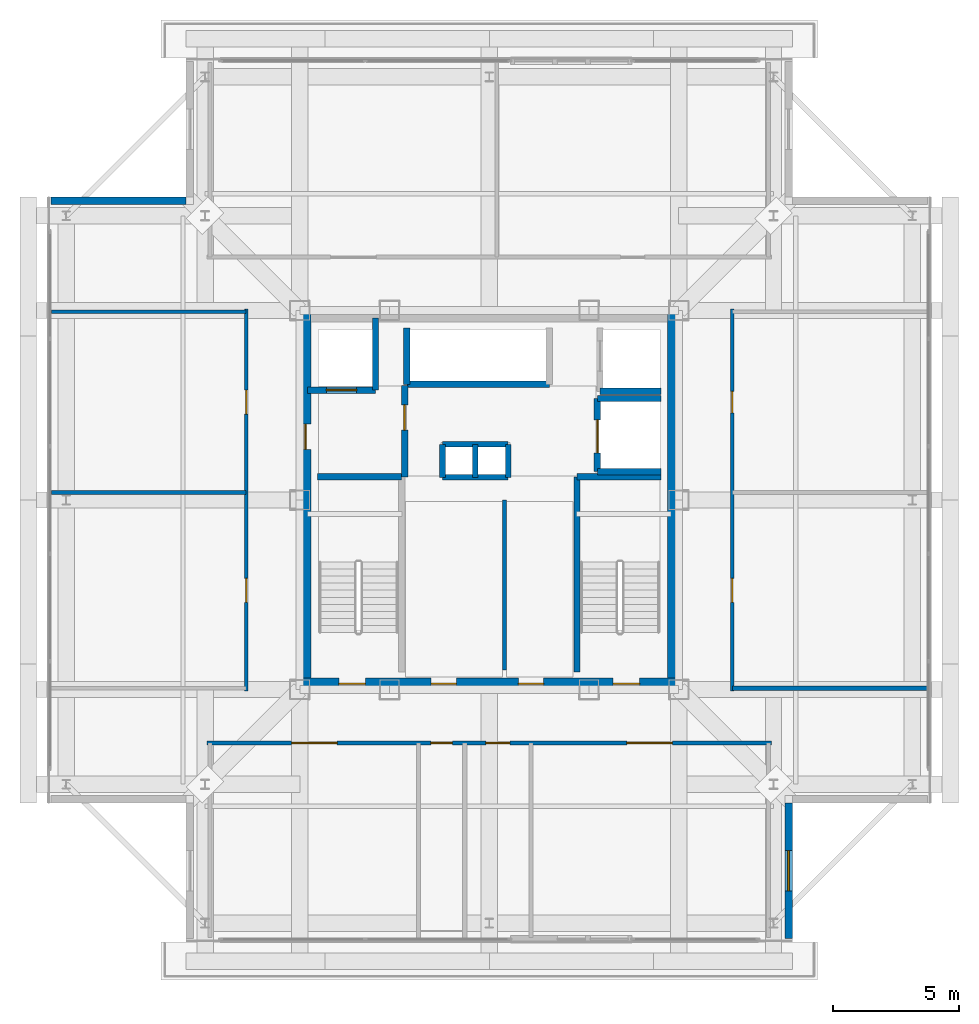
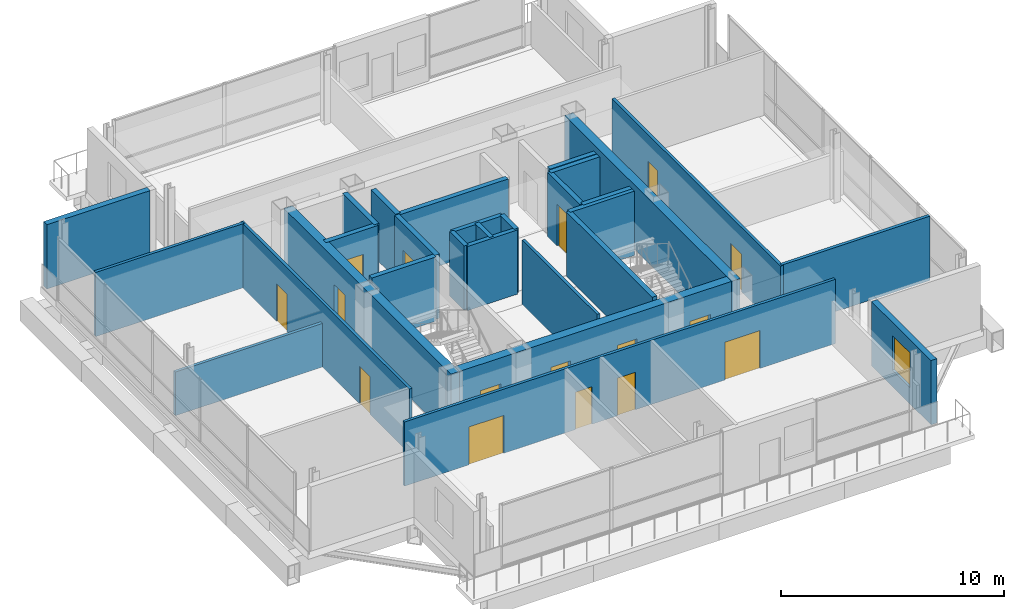
# One storey, part 9 of 15: 29 walls, 16 doors, 1 window, 17 openings.
"""IFC4 building model written with IfcOpenShell, lengths in metres."""

from ifc_helpers import new_model, si_unit, direction, frame, frame_2d, origin, place, context, subcontext, project, spatial, rectangle, extrude, material, layer, layer_set, type_object, element, fill, save


model = new_model("IFC4")

# Units and contexts
model_context = context("Model", 3, precision=1e-05, world=origin(), true_north=direction((0.0, 1.0)))
body_context = subcontext(model_context, "Body", "Model", "MODEL_VIEW")
ifc_project = project(units=[si_unit("LENGTHUNIT", "METRE"), si_unit("AREAUNIT", "SQUARE_METRE"), si_unit("VOLUMEUNIT", "CUBIC_METRE"), si_unit("PLANEANGLEUNIT", "RADIAN"), si_unit("MASSUNIT", "GRAM", prefix="KILO")], contexts=[model_context])

# Site, building, storey
site_placement = place(None, origin())
site = spatial("IfcSite", under=ifc_project, at=site_placement, CompositionType="ELEMENT")
building_placement = place(site_placement, origin())
building = spatial("IfcBuilding", under=site, at=building_placement, Name="Trevonay Congress Spire", CompositionType="ELEMENT")
storey_placement = place(building_placement, frame((0.0, 0.0, 300.800048828125)))
storey = spatial("IfcBuildingStorey", under=building, at=storey_placement, Name="L79", CompositionType="ELEMENT", Elevation=300.800048828125)

# Wall, openings, doors
ifc_material_1 = material(Name="Concrete C50/60", Category="concrete")
ifc_layer_1 = layer(ifc_material_1, 0.449951171875, Name="Concrete C50/60")
ifc_layer_set_1 = layer_set([ifc_layer_1], Name="Concrete C50/60")
wall_type_1 = type_object("IfcWallType", Name="WAL-CORE-450", PredefinedType="SHEAR", material=ifc_layer_set_1)
wall_1_placement = place(storey_placement, frame((-7.5, -7.27490234375, 0.0), z_axis=(0.0, 0.0, 1.0), x_axis=(1.0, 0.0, 0.0)))
wall_1 = element("IfcWall", 1, at=wall_1_placement, inside=storey, type_object=wall_type_1, Name="L79 South structural core shear wall", PredefinedType="SHEAR", context=body_context, shape_type="SweptSolid", body=[
    extrude(rectangle(XDim=15.0, YDim=0.449951171875, at=frame_2d((7.5, 0.0))), origin(), (0.0, 0.0, 1.0), 3.52001953125),
])
opening_1_placement = place(wall_1_placement, frame((1.550048828125, 0.0, 0.0)))
opening_1 = element("IfcOpeningElement", 2, at=opening_1_placement, cuts=wall_1, Name="Opening D05", PredefinedType="OPENING", context=body_context, shape_type="SweptSolid", body=[
    extrude(rectangle(XDim=1.050048828125, YDim=2.080078125, at=frame_2d((0.52490234375, 1.0400390625))), frame((0.0, 0.23486328125, 0.0), z_axis=(0.0, -1.0, 0.0), x_axis=(1.0, 0.0, 0.0)), (0.0, 0.0, 1.0), 0.469970703125),
])
opening_2_placement = place(wall_1_placement, frame((12.39990234375, 0.0, 0.0)))
opening_2 = element("IfcOpeningElement", 3, at=opening_2_placement, cuts=wall_1, Name="Opening D05", PredefinedType="OPENING", context=body_context, shape_type="SweptSolid", body=[
    extrude(rectangle(XDim=1.050048828125, YDim=2.080078125, at=frame_2d((0.52490234375, 1.0400390625))), frame((0.0, 0.23486328125, 0.0), z_axis=(0.0, -1.0, 0.0), x_axis=(1.0, 0.0, 0.0)), (0.0, 0.0, 1.0), 0.469970703125),
])
opening_3_placement = place(wall_1_placement, frame((5.199951171875, 0.0, 0.0)))
opening_3 = element("IfcOpeningElement", 4, at=opening_3_placement, cuts=wall_1, Name="Opening D06", PredefinedType="OPENING", context=body_context, shape_type="SweptSolid", body=[
    extrude(rectangle(XDim=1.0, YDim=2.080078125, at=frame_2d((0.5, 1.0400390625))), frame((0.0, 0.23486328125, 0.0), z_axis=(0.0, -1.0, 0.0), x_axis=(1.0, 0.0, 0.0)), (0.0, 0.0, 1.0), 0.469970703125),
])
opening_4_placement = place(wall_1_placement, frame((8.64990234375, 0.0, 0.0)))
opening_4 = element("IfcOpeningElement", 5, at=opening_4_placement, cuts=wall_1, Name="Opening D06", PredefinedType="OPENING", context=body_context, shape_type="SweptSolid", body=[
    extrude(rectangle(XDim=1.0, YDim=2.080078125, at=frame_2d((0.5, 1.0400390625))), frame((0.0, 0.23486328125, 0.0), z_axis=(0.0, -1.0, 0.0), x_axis=(1.0, 0.0, 0.0)), (0.0, 0.0, 1.0), 0.469970703125),
])
ifc_material_2 = material(Name="Steel ASTM A572 Grade 50", Category="steel")
door_type_1 = type_object("IfcDoorType", Name="DOR-FIRE-100", OperationType="NOTDEFINED", PredefinedType="DOOR", material=ifc_material_2)
door_1_placement = place(opening_3_placement, origin())
door_1 = element("IfcDoor", 6, at=door_1_placement, inside=storey, type_object=door_type_1, Name="L79 South Core Room 1 Door", OperationType="SINGLE_SWING_RIGHT", OverallHeight=2.080078125, OverallWidth=1.0, PredefinedType="DOOR", context=body_context, shape_type="SweptSolid", body=[
    extrude(rectangle(XDim=1.0, YDim=2.080078125, at=frame_2d((0.5, 1.0400390625))), frame((0.0, 0.02490234375, 0.0), z_axis=(0.0, -1.0, 0.0), x_axis=(1.0, 0.0, 0.0)), (0.0, 0.0, 1.0), 0.050048828125),
])
fill(opening_3, door_1)
door_2_placement = place(opening_4_placement, origin())
door_2 = element("IfcDoor", 7, at=door_2_placement, inside=storey, type_object=door_type_1, Name="L79 South Core Room 2 Door", OperationType="SINGLE_SWING_LEFT", OverallHeight=2.080078125, OverallWidth=1.0, PredefinedType="DOOR", context=body_context, shape_type="SweptSolid", body=[
    extrude(rectangle(XDim=1.0, YDim=2.080078125, at=frame_2d((0.5, 1.0400390625))), frame((0.0, 0.02490234375, 0.0), z_axis=(0.0, -1.0, 0.0), x_axis=(1.0, 0.0, 0.0)), (0.0, 0.0, 1.0), 0.050048828125),
])
fill(opening_4, door_2)
door_type_2 = type_object("IfcDoorType", Name="DOR-STAIR-110", OperationType="NOTDEFINED", PredefinedType="DOOR", material=ifc_material_2)
door_3_placement = place(opening_1_placement, origin())
door_3 = element("IfcDoor", 8, at=door_3_placement, inside=storey, type_object=door_type_2, Name="L79 Protected Stair ST-1 Door", OperationType="SINGLE_SWING_LEFT", OverallHeight=2.080078125, OverallWidth=1.050048828125, PredefinedType="DOOR", context=body_context, shape_type="SweptSolid", body=[
    extrude(rectangle(XDim=1.050048828125, YDim=2.080078125, at=frame_2d((0.52490234375, 1.0400390625))), frame((0.0, 0.02490234375, 0.0), z_axis=(0.0, -1.0, 0.0), x_axis=(1.0, 0.0, 0.0)), (0.0, 0.0, 1.0), 0.050048828125),
])
fill(opening_1, door_3)
door_4_placement = place(opening_2_placement, origin())
door_4 = element("IfcDoor", 9, at=door_4_placement, inside=storey, type_object=door_type_2, Name="L79 Protected Stair ST-2 Door", OperationType="SINGLE_SWING_RIGHT", OverallHeight=2.080078125, OverallWidth=1.050048828125, PredefinedType="DOOR", context=body_context, shape_type="SweptSolid", body=[
    extrude(rectangle(XDim=1.050048828125, YDim=2.080078125, at=frame_2d((0.52490234375, 1.0400390625))), frame((0.0, 0.02490234375, 0.0), z_axis=(0.0, -1.0, 0.0), x_axis=(1.0, 0.0, 0.0)), (0.0, 0.0, 1.0), 0.050048828125),
])
fill(opening_2, door_4)

# Wall, opening, door
wall_2_placement = place(storey_placement, frame((-7.27490234375, -7.5, 0.0), z_axis=(0.0, 0.0, 1.0), x_axis=(0.0, 1.0, 0.0)))
wall_2 = element("IfcWall", 10, at=wall_2_placement, inside=storey, type_object=wall_type_1, Name="L79 West structural core shear wall", PredefinedType="SHEAR", context=body_context, shape_type="SweptSolid", body=[
    extrude(rectangle(XDim=15.0, YDim=0.449951171875, at=frame_2d((7.5, 0.0))), origin(), (0.0, 0.0, 1.0), 3.52001953125),
])
opening_5_placement = place(wall_2_placement, frame((9.5, 0.0, 0.0)))
opening_5 = element("IfcOpeningElement", 11, at=opening_5_placement, cuts=wall_2, Name="Opening D06", PredefinedType="OPENING", context=body_context, shape_type="SweptSolid", body=[
    extrude(rectangle(XDim=1.0, YDim=2.080078125, at=frame_2d((0.5, 1.0400390625))), frame((0.0, 0.23486328125, 0.0), z_axis=(0.0, -1.0, 0.0), x_axis=(1.0, 0.0, 0.0)), (0.0, 0.0, 1.0), 0.469970703125),
])
door_5_placement = place(opening_5_placement, origin())
door_5 = element("IfcDoor", 12, at=door_5_placement, inside=storey, type_object=door_type_1, Name="L79 Firefighting Lift Lobby West Corridor Door", OperationType="SINGLE_SWING_LEFT", OverallHeight=2.080078125, OverallWidth=1.0, PredefinedType="DOOR", context=body_context, shape_type="SweptSolid", body=[
    extrude(rectangle(XDim=1.0, YDim=2.080078125, at=frame_2d((0.5, 1.0400390625))), frame((0.0, 0.02490234375, 0.0), z_axis=(0.0, -1.0, 0.0), x_axis=(1.0, 0.0, 0.0)), (0.0, 0.0, 1.0), 0.050048828125),
])
fill(opening_5, door_5)

# Wall
wall_3_placement = place(storey_placement, frame((7.27490234375, -7.5, 0.0), z_axis=(0.0, 0.0, 1.0), x_axis=(0.0, 1.0, 0.0)))
element("IfcWall", 13, at=wall_3_placement, inside=storey, type_object=wall_type_1, Name="L79 East structural core shear wall", PredefinedType="SHEAR", context=body_context, shape_type="SweptSolid", body=[
    extrude(rectangle(XDim=15.0, YDim=0.449951171875, at=frame_2d((7.5, 0.0))), origin(), (0.0, 0.0, 1.0), 3.52001953125),
])

# Wall, openings, doors
ifc_material_3 = material(Name="Concrete C40/50", Category="concrete")
ifc_layer_2 = layer(ifc_material_3, 0.14990234375, Name="Concrete C40/50")
ifc_layer_set_2 = layer_set([ifc_layer_2], Name="Concrete C40/50")
wall_type_2 = type_object("IfcWallType", Name="WAL-CORR-150", PredefinedType="PARTITIONING", material=ifc_layer_set_2)
wall_4_placement = place(storey_placement, frame((-11.169921875, -9.6201171875, 0.0), z_axis=(0.0, 0.0, 1.0), x_axis=(1.0, 0.0, 0.0)))
wall_4 = element("IfcWall", 14, at=wall_4_placement, inside=storey, type_object=wall_type_2, Name="L79 interior wall WP-L79S-COR", PredefinedType="PARTITIONING", context=body_context, shape_type="SweptSolid", body=[
    extrude(rectangle(XDim=22.33984375, YDim=0.14990234375, at=frame_2d((11.169921875, 0.0))), origin(), (0.0, 0.0, 1.0), 3.52001953125),
])
opening_6_placement = place(wall_4_placement, frame((3.344970703125, 0.0, 0.0)))
opening_6 = element("IfcOpeningElement", 15, at=opening_6_placement, cuts=wall_4, Name="Opening D09", PredefinedType="OPENING", context=body_context, shape_type="SweptSolid", body=[
    extrude(rectangle(XDim=1.800048828125, YDim=2.080078125, at=frame_2d((0.89990234375, 1.0400390625))), frame((0.0, 0.0849609375, 0.0), z_axis=(0.0, -1.0, 0.0), x_axis=(1.0, 0.0, 0.0)), (0.0, 0.0, 1.0), 0.169921875),
])
opening_7_placement = place(wall_4_placement, frame((8.860107421875, 0.0, 0.0)))
opening_7 = element("IfcOpeningElement", 16, at=opening_7_placement, cuts=wall_4, Name="Opening D10", PredefinedType="OPENING", context=body_context, shape_type="SweptSolid", body=[
    extrude(rectangle(XDim=0.85009765625, YDim=2.050048828125, at=frame_2d((0.425048828125, 1.02490234375))), frame((0.0, 0.0849609375, 0.0), z_axis=(0.0, -1.0, 0.0), x_axis=(1.0, 0.0, 0.0)), (0.0, 0.0, 1.0), 0.169921875),
])
opening_8_placement = place(wall_4_placement, frame((11.034912109375, 0.0, 0.0)))
opening_8 = element("IfcOpeningElement", 17, at=opening_8_placement, cuts=wall_4, Name="Opening D07", PredefinedType="OPENING", context=body_context, shape_type="SweptSolid", body=[
    extrude(rectangle(XDim=0.949951171875, YDim=2.06005859375, at=frame_2d((0.47509765625, 1.030029296875))), frame((0.0, 0.0849609375, 0.0), z_axis=(0.0, -1.0, 0.0), x_axis=(1.0, 0.0, 0.0)), (0.0, 0.0, 1.0), 0.169921875),
])
opening_9_placement = place(wall_4_placement, frame((16.6201171875, 0.0, 0.0)))
opening_9 = element("IfcOpeningElement", 18, at=opening_9_placement, cuts=wall_4, Name="Opening D09", PredefinedType="OPENING", context=body_context, shape_type="SweptSolid", body=[
    extrude(rectangle(XDim=1.800048828125, YDim=2.080078125, at=frame_2d((0.89990234375, 1.0400390625))), frame((0.0, 0.0849609375, 0.0), z_axis=(0.0, -1.0, 0.0), x_axis=(1.0, 0.0, 0.0)), (0.0, 0.0, 1.0), 0.169921875),
])
ifc_material_4 = material(Name="Pale Anodised Aluminium EN AW-6063-T6", Category="aluminium")
door_type_3 = type_object("IfcDoorType", Name="DOR-CONF-DBL", OperationType="DOUBLE_DOOR_SINGLE_SWING", PredefinedType="DOOR", material=ifc_material_4)
door_6_placement = place(opening_6_placement, origin())
door_6 = element("IfcDoor", 19, at=door_6_placement, inside=storey, type_object=door_type_3, Name="L79 Sky Observatory Salon South Door", OperationType="DOUBLE_DOOR_SINGLE_SWING", OverallHeight=2.080078125, OverallWidth=1.800048828125, PredefinedType="DOOR", context=body_context, shape_type="SweptSolid", body=[
    extrude(rectangle(XDim=1.800048828125, YDim=2.080078125, at=frame_2d((0.89990234375, 1.0400390625))), frame((0.0, 0.02490234375, 0.0), z_axis=(0.0, -1.0, 0.0), x_axis=(1.0, 0.0, 0.0)), (0.0, 0.0, 1.0), 0.050048828125),
])
fill(opening_6, door_6)
door_7_placement = place(opening_9_placement, origin())
door_7 = element("IfcDoor", 20, at=door_7_placement, inside=storey, type_object=door_type_3, Name="L79 Crown Cocktail Bar Door", OperationType="DOUBLE_DOOR_SINGLE_SWING", OverallHeight=2.080078125, OverallWidth=1.800048828125, PredefinedType="DOOR", context=body_context, shape_type="SweptSolid", body=[
    extrude(rectangle(XDim=1.800048828125, YDim=2.080078125, at=frame_2d((0.89990234375, 1.0400390625))), frame((0.0, 0.02490234375, 0.0), z_axis=(0.0, -1.0, 0.0), x_axis=(1.0, 0.0, 0.0)), (0.0, 0.0, 1.0), 0.050048828125),
])
fill(opening_9, door_7)
door_type_4 = type_object("IfcDoorType", Name="DOR-OFFICE-95", OperationType="NOTDEFINED", PredefinedType="DOOR", material=ifc_material_4)
door_8_placement = place(opening_8_placement, origin())
door_8 = element("IfcDoor", 21, at=door_8_placement, inside=storey, type_object=door_type_4, Name="L79 Floor Supplies and Copy Room Door", OperationType="SINGLE_SWING_RIGHT", OverallHeight=2.06005859375, OverallWidth=0.949951171875, PredefinedType="DOOR", context=body_context, shape_type="SweptSolid", body=[
    extrude(rectangle(XDim=0.949951171875, YDim=2.06005859375, at=frame_2d((0.47509765625, 1.030029296875))), frame((0.0, 0.02490234375, 0.0), z_axis=(0.0, -1.0, 0.0), x_axis=(1.0, 0.0, 0.0)), (0.0, 0.0, 1.0), 0.050048828125),
])
fill(opening_8, door_8)
door_type_5 = type_object("IfcDoorType", Name="DOR-WC-85", OperationType="NOTDEFINED", PredefinedType="DOOR", material=ifc_material_4)
door_9_placement = place(opening_7_placement, origin())
door_9 = element("IfcDoor", 22, at=door_9_placement, inside=storey, type_object=door_type_5, Name="L79 Accessible WC Door", OperationType="SINGLE_SWING_LEFT", OverallHeight=2.050048828125, OverallWidth=0.85009765625, PredefinedType="DOOR", context=body_context, shape_type="SweptSolid", body=[
    extrude(rectangle(XDim=0.85009765625, YDim=2.050048828125, at=frame_2d((0.425048828125, 1.02490234375))), frame((0.0, 0.02490234375, 0.0), z_axis=(0.0, -1.0, 0.0), x_axis=(1.0, 0.0, 0.0)), (0.0, 0.0, 1.0), 0.050048828125),
])
fill(opening_7, door_9)

wall_5_placement = place(storey_placement, frame((-9.6201171875, -7.570068359375, 0.0), z_axis=(0.0, 0.0, 1.0), x_axis=(0.0, 1.0, 0.0)))
wall_5 = element("IfcWall", 23, at=wall_5_placement, inside=storey, type_object=wall_type_2, Name="L79 interior wall WP-L79W-COR", PredefinedType="PARTITIONING", context=body_context, shape_type="SweptSolid", body=[
    extrude(rectangle(XDim=15.14013671875, YDim=0.14990234375, at=frame_2d((7.570068359375, 0.0))), origin(), (0.0, 0.0, 1.0), 3.52001953125),
])
opening_10_placement = place(wall_5_placement, frame((3.52001953125, 0.0, 0.0)))
opening_10 = element("IfcOpeningElement", 24, at=opening_10_placement, cuts=wall_5, Name="Opening D07", PredefinedType="OPENING", context=body_context, shape_type="SweptSolid", body=[
    extrude(rectangle(XDim=0.949951171875, YDim=2.06005859375, at=frame_2d((0.47509765625, 1.030029296875))), frame((0.0, 0.0849609375, 0.0), z_axis=(0.0, -1.0, 0.0), x_axis=(1.0, 0.0, 0.0)), (0.0, 0.0, 1.0), 0.169921875),
])
opening_11_placement = place(wall_5_placement, frame((10.969970703125, 0.0, 0.0)))
opening_11 = element("IfcOpeningElement", 25, at=opening_11_placement, cuts=wall_5, Name="Opening D07", PredefinedType="OPENING", context=body_context, shape_type="SweptSolid", body=[
    extrude(rectangle(XDim=0.949951171875, YDim=2.06005859375, at=frame_2d((0.47509765625, 1.030029296875))), frame((0.0, 0.0849609375, 0.0), z_axis=(0.0, -1.0, 0.0), x_axis=(1.0, 0.0, 0.0)), (0.0, 0.0, 1.0), 0.169921875),
])
door_10_placement = place(opening_10_placement, origin())
door_10 = element("IfcDoor", 26, at=door_10_placement, inside=storey, type_object=door_type_4, Name="L79 VIP Summit Reception Suite Door", OperationType="SINGLE_SWING_RIGHT", OverallHeight=2.06005859375, OverallWidth=0.949951171875, PredefinedType="DOOR", context=body_context, shape_type="SweptSolid", body=[
    extrude(rectangle(XDim=0.949951171875, YDim=2.06005859375, at=frame_2d((0.47509765625, 1.030029296875))), frame((0.0, 0.02490234375, 0.0), z_axis=(0.0, -1.0, 0.0), x_axis=(1.0, 0.0, 0.0)), (0.0, 0.0, 1.0), 0.050048828125),
])
fill(opening_10, door_10)
door_11_placement = place(opening_11_placement, origin())
door_11 = element("IfcDoor", 27, at=door_11_placement, inside=storey, type_object=door_type_4, Name="L79 Catering Finishing Kitchen Door", OperationType="SINGLE_SWING_LEFT", OverallHeight=2.06005859375, OverallWidth=0.949951171875, PredefinedType="DOOR", context=body_context, shape_type="SweptSolid", body=[
    extrude(rectangle(XDim=0.949951171875, YDim=2.06005859375, at=frame_2d((0.47509765625, 1.030029296875))), frame((0.0, 0.02490234375, 0.0), z_axis=(0.0, -1.0, 0.0), x_axis=(1.0, 0.0, 0.0)), (0.0, 0.0, 1.0), 0.050048828125),
])
fill(opening_11, door_11)

wall_6_placement = place(storey_placement, frame((9.6201171875, -7.570068359375, 0.0), z_axis=(0.0, 0.0, 1.0), x_axis=(0.0, 1.0, 0.0)))
wall_6 = element("IfcWall", 28, at=wall_6_placement, inside=storey, type_object=wall_type_2, Name="L79 interior wall WP-L79E-COR", PredefinedType="PARTITIONING", context=body_context, shape_type="SweptSolid", body=[
    extrude(rectangle(XDim=15.14013671875, YDim=0.14990234375, at=frame_2d((7.570068359375, 0.0))), origin(), (0.0, 0.0, 1.0), 3.52001953125),
])
opening_12_placement = place(wall_6_placement, frame((3.52001953125, 0.0, 0.0)))
opening_12 = element("IfcOpeningElement", 29, at=opening_12_placement, cuts=wall_6, Name="Opening D07", PredefinedType="OPENING", context=body_context, shape_type="SweptSolid", body=[
    extrude(rectangle(XDim=0.949951171875, YDim=2.06005859375, at=frame_2d((0.47509765625, 1.030029296875))), frame((0.0, 0.0849609375, 0.0), z_axis=(0.0, -1.0, 0.0), x_axis=(1.0, 0.0, 0.0)), (0.0, 0.0, 1.0), 0.169921875),
])
opening_13_placement = place(wall_6_placement, frame((11.02001953125, 0.0, 0.0)))
opening_13 = element("IfcOpeningElement", 30, at=opening_13_placement, cuts=wall_6, Name="Opening D10", PredefinedType="OPENING", context=body_context, shape_type="SweptSolid", body=[
    extrude(rectangle(XDim=0.85009765625, YDim=2.050048828125, at=frame_2d((0.425048828125, 1.02490234375))), frame((0.0, 0.0849609375, 0.0), z_axis=(0.0, -1.0, 0.0), x_axis=(1.0, 0.0, 0.0)), (0.0, 0.0, 1.0), 0.169921875),
])
door_12_placement = place(opening_12_placement, origin())
door_12 = element("IfcDoor", 31, at=door_12_placement, inside=storey, type_object=door_type_4, Name="L79 Private Observatory Dining Room Door", OperationType="SINGLE_SWING_RIGHT", OverallHeight=2.06005859375, OverallWidth=0.949951171875, PredefinedType="DOOR", context=body_context, shape_type="SweptSolid", body=[
    extrude(rectangle(XDim=0.949951171875, YDim=2.06005859375, at=frame_2d((0.47509765625, 1.030029296875))), frame((0.0, 0.02490234375, 0.0), z_axis=(0.0, -1.0, 0.0), x_axis=(1.0, 0.0, 0.0)), (0.0, 0.0, 1.0), 0.050048828125),
])
fill(opening_12, door_12)
door_13_placement = place(opening_13_placement, origin())
door_13 = element("IfcDoor", 32, at=door_13_placement, inside=storey, type_object=door_type_5, Name="L79 Female Restroom WC Door", OperationType="SINGLE_SWING_LEFT", OverallHeight=2.050048828125, OverallWidth=0.85009765625, PredefinedType="DOOR", context=body_context, shape_type="SweptSolid", body=[
    extrude(rectangle(XDim=0.85009765625, YDim=2.050048828125, at=frame_2d((0.425048828125, 1.02490234375))), frame((0.0, 0.02490234375, 0.0), z_axis=(0.0, -1.0, 0.0), x_axis=(1.0, 0.0, 0.0)), (0.0, 0.0, 1.0), 0.050048828125),
])
fill(opening_13, door_13)

# Wall, opening, window
ifc_material_5 = material(Name="Precast concrete C40/50", Category="concrete")
ifc_layer_3 = layer(ifc_material_5, 0.300048828125, Name="Precast concrete C40/50")
ifc_layer_set_3 = layer_set([ifc_layer_3], Name="Precast concrete C40/50")
wall_type_3 = type_object("IfcWallType", Name="WAL-EXT-PRECAST-300", PredefinedType="SOLIDWALL", material=ifc_layer_set_3)
wall_7_placement = place(storey_placement, frame((11.85009765625, -17.35009765625, 0.0), z_axis=(0.0, 0.0, 1.0), x_axis=(0.0, 1.0, 0.0)))
wall_7 = element("IfcWall", 33, at=wall_7_placement, inside=storey, type_object=wall_type_3, Name="L79 SE re-entrant notch exterior wall 1", PredefinedType="SOLIDWALL", context=body_context, shape_type="SweptSolid", body=[
    extrude(rectangle(XDim=5.35009765625, YDim=0.300048828125, at=frame_2d((2.675048828125, 0.0))), origin(), (0.0, 0.0, 1.0), 3.52001953125),
])
opening_14_placement = place(wall_7_placement, frame((1.875, 0.0, 0.89990234375)))
opening_14 = element("IfcOpeningElement", 34, at=opening_14_placement, cuts=wall_7, Name="Opening WN04", PredefinedType="OPENING", context=body_context, shape_type="SweptSolid", body=[
    extrude(rectangle(XDim=1.60009765625, YDim=1.89990234375, at=frame_2d((0.800048828125, 0.949951171875))), frame((0.0, 0.16015625, 0.0), z_axis=(0.0, -1.0, 0.0), x_axis=(1.0, 0.0, 0.0)), (0.0, 0.0, 1.0), 0.320068359375),
])
ifc_material_6 = material(Name="Insulated Low-E Vision Glass IGU", Category="glass")
window_type = type_object("IfcWindowType", Name="WIN-CROWN-160X190", PartitioningType="SINGLE_PANEL", PredefinedType="WINDOW", material=ifc_material_6)
window_placement = place(opening_14_placement, origin())
window = element("IfcWindow", 35, at=window_placement, inside=storey, type_object=window_type, Name="L79 SE corner notch window", OverallHeight=1.89990234375, OverallWidth=1.60009765625, PartitioningType="SINGLE_PANEL", PredefinedType="WINDOW", context=body_context, shape_type="SweptSolid", body=[
    extrude(rectangle(XDim=1.60009765625, YDim=1.89990234375, at=frame_2d((0.800048828125, 0.949951171875))), frame((0.0, 0.030029296875, 0.0), z_axis=(0.0, -1.0, 0.0), x_axis=(1.0, 0.0, 0.0)), (0.0, 0.0, 1.0), 0.06005859375),
])
fill(opening_14, window)

# Walls
wall_8_placement = place(storey_placement, frame((-17.35009765625, 11.85009765625, 0.0), z_axis=(0.0, 0.0, 1.0), x_axis=(1.0, 0.0, 0.0)))
element("IfcWall", 36, at=wall_8_placement, inside=storey, type_object=wall_type_3, Name="L79 NW re-entrant notch exterior wall 2", PredefinedType="SOLIDWALL", context=body_context, shape_type="SweptSolid", body=[
    extrude(rectangle(XDim=5.35009765625, YDim=0.300048828125, at=frame_2d((2.675048828125, 0.0))), origin(), (0.0, 0.0, 1.0), 3.52001953125),
])
ifc_layer_4 = layer(ifc_material_3, 0.14990234375, Name="Concrete C40/50")
ifc_layer_set_4 = layer_set([ifc_layer_4], Name="Concrete C40/50")
wall_type_4 = type_object("IfcWallType", Name="WAL-PART-150", PredefinedType="PARTITIONING", material=ifc_layer_set_4)
wall_9_placement = place(storey_placement, frame((0.60009765625, -6.719970703125, 0.0), z_axis=(0.0, 0.0, 1.0), x_axis=(0.0, 1.0, 0.0)))
element("IfcWall", 37, at=wall_9_placement, inside=storey, type_object=wall_type_4, Name="L79 interior wall CW-F1V-L79", PredefinedType="PARTITIONING", context=body_context, shape_type="SweptSolid", body=[
    extrude(rectangle(XDim=6.719970703125, YDim=0.14990234375, at=frame_2d((3.35986328125, 0.0))), origin(), (0.0, 0.0, 1.0), 3.52001953125),
])
wall_10_placement = place(storey_placement, frame((-17.320068359375, 0.300048828125, 0.0), z_axis=(0.0, 0.0, 1.0), x_axis=(1.0, 0.0, 0.0)))
element("IfcWall", 38, at=wall_10_placement, inside=storey, type_object=wall_type_4, Name="L79 interior wall WP-L79W-DIV2", PredefinedType="PARTITIONING", context=body_context, shape_type="SweptSolid", body=[
    extrude(rectangle(XDim=7.699951171875, YDim=0.14990234375, at=frame_2d((3.85009765625, 0.0))), origin(), (0.0, 0.0, 1.0), 2.39501953125),
])
wall_11_placement = place(storey_placement, frame((-17.320068359375, 7.449951171875, 0.0), z_axis=(0.0, 0.0, 1.0), x_axis=(1.0, 0.0, 0.0)))
element("IfcWall", 39, at=wall_11_placement, inside=storey, type_object=wall_type_4, Name="L79 interior wall WP-L79W-DIV3", PredefinedType="PARTITIONING", context=body_context, shape_type="SweptSolid", body=[
    extrude(rectangle(XDim=7.699951171875, YDim=0.14990234375, at=frame_2d((3.85009765625, 0.0))), origin(), (0.0, 0.0, 1.0), 3.52001953125),
])
ifc_layer_5 = layer(ifc_material_3, 0.219970703125, Name="Concrete C40/50")
ifc_layer_set_5 = layer_set([ifc_layer_5], Name="Concrete C40/50")
wall_type_5 = type_object("IfcWallType", Name="WAL-SHAFT-220", PredefinedType="PARTITIONING", material=ifc_layer_set_5)
for number, where, z_axis, x_axis, name in (
    (40, (-1.85009765625, 2.199951171875, 0.0), (0.0, 0.0, 1.0), (1.0, 0.0, 0.0), "L79 interior shaft wall WSH-L79-RSR-N"),
    (41, (-1.85009765625, 0.89990234375, 0.0), (0.0, 0.0, 1.0), (1.0, 0.0, 0.0), "L79 interior shaft wall WSH-L79-RSR-S"),
):
    element("IfcWall", number, at=place(storey_placement, frame(where, z_axis=z_axis, x_axis=x_axis)), inside=storey, type_object=wall_type_5, Name=name, PredefinedType="PARTITIONING", context=body_context, shape_type="SweptSolid", body=[
        extrude(rectangle(XDim=2.60009765625, YDim=0.219970703125, at=frame_2d((1.300048828125, 0.0))), origin(), (0.0, 0.0, 1.0), 3.52001953125),
    ])
for number, where, z_axis, x_axis, name in (
    (42, (-0.550048828125, 0.89990234375, 0.0), (0.0, 0.0, 1.0), (0.0, 1.0, 0.0), "L79 interior shaft wall WSH-L79-RSR-M"),
    (43, (0.75, 0.89990234375, 0.0), (0.0, 0.0, 1.0), (0.0, 1.0, 0.0), "L79 interior shaft wall WSH-L79-RSR-E"),
    (44, (-1.85009765625, 0.89990234375, 0.0), (0.0, 0.0, 1.0), (0.0, 1.0, 0.0), "L79 interior shaft wall WSH-L79-RSR-W"),
):
    element("IfcWall", number, at=place(storey_placement, frame(where, z_axis=z_axis, x_axis=x_axis)), inside=storey, type_object=wall_type_5, Name=name, PredefinedType="PARTITIONING", context=body_context, shape_type="SweptSolid", body=[
        extrude(rectangle(XDim=1.300048828125, YDim=0.219970703125, at=frame_2d((0.64990234375, 0.0))), origin(), (0.0, 0.0, 1.0), 3.52001953125),
    ])
ifc_layer_6 = layer(ifc_material_3, 0.25, Name="Concrete C40/50")
ifc_layer_set_6 = layer_set([ifc_layer_6], Name="Concrete C40/50")
wall_type_6 = type_object("IfcWallType", Name="WAL-SHAFT-250", PredefinedType="SHEAR", material=ifc_layer_set_6)
wall_12_placement = place(storey_placement, frame((-3.260009765625, 4.580078125, 0.0), z_axis=(0.0, 0.0, 1.0), x_axis=(1.0, 0.0, 0.0)))
element("IfcWall", 45, at=wall_12_placement, inside=storey, type_object=wall_type_6, Name="L79 interior shaft wall WSH-L79-B3-S", PredefinedType="SHEAR", context=body_context, shape_type="SweptSolid", body=[
    extrude(rectangle(XDim=5.639892578125, YDim=0.25, at=frame_2d((2.81982421875, 0.0))), origin(), (0.0, 0.0, 1.0), 3.52001953125),
])
wall_13_placement = place(storey_placement, frame((-3.260009765625, 4.580078125, 0.0), z_axis=(0.0, 0.0, 1.0), x_axis=(0.0, 1.0, 0.0)))
element("IfcWall", 46, at=wall_13_placement, inside=storey, type_object=wall_type_6, Name="L79 interior shaft wall WSH-L79-B3-W", PredefinedType="SHEAR", context=body_context, shape_type="SweptSolid", body=[
    extrude(rectangle(XDim=2.219970703125, YDim=0.25, at=frame_2d((1.10986328125, 0.0))), origin(), (0.0, 0.0, 1.0), 3.52001953125),
])

# Wall, opening, door
wall_14_placement = place(storey_placement, frame((-7.199951171875, 4.35009765625, 0.0), z_axis=(0.0, 0.0, 1.0), x_axis=(1.0, 0.0, 0.0)))
wall_14 = element("IfcWall", 47, at=wall_14_placement, inside=storey, type_object=wall_type_6, Name="L79 interior shaft wall WSH-L79-FF1-S", PredefinedType="SHEAR", context=body_context, shape_type="SweptSolid", body=[
    extrude(rectangle(XDim=2.699951171875, YDim=0.25, at=frame_2d((1.35009765625, 0.0))), origin(), (0.0, 0.0, 1.0), 3.52001953125),
])
opening_15_placement = place(wall_14_placement, frame((0.75, 0.0, 0.0)))
opening_15 = element("IfcOpeningElement", 48, at=opening_15_placement, cuts=wall_14, Name="Opening LD04", PredefinedType="OPENING", context=body_context, shape_type="SweptSolid", body=[
    extrude(rectangle(XDim=1.199951171875, YDim=2.199951171875, at=frame_2d((0.60009765625, 1.10009765625))), frame((0.0, 0.135009765625, 0.0), z_axis=(0.0, -1.0, 0.0), x_axis=(1.0, 0.0, 0.0)), (0.0, 0.0, 1.0), 0.27001953125),
])
door_type_6 = type_object("IfcDoorType", Name="DOR-LIFT-LD04", OperationType="DOUBLE_DOOR_SLIDING", PredefinedType="DOOR", material=ifc_material_2)
door_14_placement = place(opening_15_placement, origin())
door_14 = element("IfcDoor", 49, at=door_14_placement, inside=storey, type_object=door_type_6, Name="L79 Firefighting lift FFL-01 landing door", OperationType="DOUBLE_DOOR_SLIDING", OverallHeight=2.199951171875, OverallWidth=1.199951171875, PredefinedType="DOOR", context=body_context, shape_type="SweptSolid", body=[
    extrude(rectangle(XDim=1.199951171875, YDim=2.199951171875, at=frame_2d((0.60009765625, 1.10009765625))), frame((0.0, 0.02490234375, 0.0), z_axis=(0.0, -1.0, 0.0), x_axis=(1.0, 0.0, 0.0)), (0.0, 0.0, 1.0), 0.050048828125),
])
fill(opening_15, door_14)

# Walls
wall_15_placement = place(storey_placement, frame((-4.5, 4.35009765625, 0.0), z_axis=(0.0, 0.0, 1.0), x_axis=(0.0, 1.0, 0.0)))
element("IfcWall", 50, at=wall_15_placement, inside=storey, type_object=wall_type_6, Name="L79 interior shaft wall WSH-L79-FF1-E", PredefinedType="SHEAR", context=body_context, shape_type="SweptSolid", body=[
    extrude(rectangle(XDim=2.849853515625, YDim=0.25, at=frame_2d((1.4248046875, 0.0))), origin(), (0.0, 0.0, 1.0), 3.52001953125),
])
wall_16_placement = place(storey_placement, frame((4.3798828125, 4.300048828125, 0.0), z_axis=(0.0, 0.0, 1.0), x_axis=(1.0, 0.0, 0.0)))
element("IfcWall", 51, at=wall_16_placement, inside=storey, type_object=wall_type_6, Name="L79 interior shaft wall WSH-L79-FF2-S", PredefinedType="SHEAR", context=body_context, shape_type="SweptSolid", body=[
    extrude(rectangle(XDim=2.420166015625, YDim=0.25, at=frame_2d((1.2099609375, 0.0))), origin(), (0.0, 0.0, 1.0), 3.52001953125),
])

# Wall, opening, door
wall_17_placement = place(storey_placement, frame((4.280029296875, 1.1201171875, 0.0), z_axis=(0.0, 0.0, 1.0), x_axis=(0.0, 1.0, 0.0)))
wall_17 = element("IfcWall", 52, at=wall_17_placement, inside=storey, type_object=wall_type_6, Name="L79 interior shaft wall WSH-L79-SV-W", PredefinedType="SHEAR", context=body_context, shape_type="SweptSolid", body=[
    extrude(rectangle(XDim=2.89990234375, YDim=0.25, at=frame_2d((1.449951171875, 0.0))), origin(), (0.0, 0.0, 1.0), 3.52001953125),
])
opening_16_placement = place(wall_17_placement, frame((0.75, 0.0, 0.0)))
opening_16 = element("IfcOpeningElement", 53, at=opening_16_placement, cuts=wall_17, Name="Opening LD05", PredefinedType="OPENING", context=body_context, shape_type="SweptSolid", body=[
    extrude(rectangle(XDim=1.300048828125, YDim=2.300048828125, at=frame_2d((0.64990234375, 1.14990234375))), frame((0.0, 0.135009765625, 0.0), z_axis=(0.0, -1.0, 0.0), x_axis=(1.0, 0.0, 0.0)), (0.0, 0.0, 1.0), 0.27001953125),
])
door_type_7 = type_object("IfcDoorType", Name="DOR-LIFT-LD05", OperationType="DOUBLE_DOOR_SLIDING", PredefinedType="DOOR", material=ifc_material_2)
door_15_placement = place(opening_16_placement, origin())
door_15 = element("IfcDoor", 54, at=door_15_placement, inside=storey, type_object=door_type_7, Name="L79 Goods lift SVL-01 landing door", OperationType="DOUBLE_DOOR_SLIDING", OverallHeight=2.300048828125, OverallWidth=1.300048828125, PredefinedType="DOOR", context=body_context, shape_type="SweptSolid", body=[
    extrude(rectangle(XDim=1.300048828125, YDim=2.300048828125, at=frame_2d((0.64990234375, 1.14990234375))), frame((0.0, 0.02490234375, 0.0), z_axis=(0.0, -1.0, 0.0), x_axis=(1.0, 0.0, 0.0)), (0.0, 0.0, 1.0), 0.050048828125),
])
fill(opening_16, door_15)

# Walls
for number, where, z_axis, x_axis, name in (
    (55, (4.280029296875, 1.1201171875, 0.0), (0.0, 0.0, 1.0), (1.0, 0.0, 0.0), "L79 interior shaft wall WSH-L79-SV-S"),
    (56, (4.280029296875, 4.02001953125, 0.0), (0.0, 0.0, 1.0), (1.0, 0.0, 0.0), "L79 interior shaft wall WSH-L79-SV-N"),
):
    element("IfcWall", number, at=place(storey_placement, frame(where, z_axis=z_axis, x_axis=x_axis)), inside=storey, type_object=wall_type_6, Name=name, PredefinedType="SHEAR", context=body_context, shape_type="SweptSolid", body=[
        extrude(rectangle(XDim=2.52001953125, YDim=0.25, at=frame_2d((1.260009765625, 0.0))), origin(), (0.0, 0.0, 1.0), 3.52001953125),
    ])

# Wall, opening, door
wall_18_placement = place(storey_placement, frame((-3.35009765625, 0.919921875, 0.0), z_axis=(0.0, 0.0, 1.0), x_axis=(0.0, 1.0, 0.0)))
wall_18 = element("IfcWall", 57, at=wall_18_placement, inside=storey, type_object=wall_type_6, Name="L79 interior wall CW-FFLW-E-L79", PredefinedType="SHEAR", context=body_context, shape_type="SweptSolid", body=[
    extrude(rectangle(XDim=3.6201171875, YDim=0.25, at=frame_2d((1.81005859375, 0.0))), origin(), (0.0, 0.0, 1.0), 3.52001953125),
])
opening_17_placement = place(wall_18_placement, frame((1.85009765625, 0.0, 0.0)))
opening_17 = element("IfcOpeningElement", 58, at=opening_17_placement, cuts=wall_18, Name="Opening D06", PredefinedType="OPENING", context=body_context, shape_type="SweptSolid", body=[
    extrude(rectangle(XDim=1.0, YDim=2.080078125, at=frame_2d((0.5, 1.0400390625))), frame((0.0, 0.135009765625, 0.0), z_axis=(0.0, -1.0, 0.0), x_axis=(1.0, 0.0, 0.0)), (0.0, 0.0, 1.0), 0.27001953125),
])
door_16_placement = place(opening_17_placement, origin())
door_16 = element("IfcDoor", 59, at=door_16_placement, inside=storey, type_object=door_type_1, Name="L79 Firefighting Core Lobby Transfer Door", OperationType="SINGLE_SWING_RIGHT", OverallHeight=2.080078125, OverallWidth=1.0, PredefinedType="DOOR", context=body_context, shape_type="SweptSolid", body=[
    extrude(rectangle(XDim=1.0, YDim=2.080078125, at=frame_2d((0.5, 1.0400390625))), frame((0.0, 0.02490234375, 0.0), z_axis=(0.0, -1.0, 0.0), x_axis=(1.0, 0.0, 0.0)), (0.0, 0.0, 1.0), 0.050048828125),
])
fill(opening_17, door_16)

# Walls
ifc_layer_7 = layer(ifc_material_3, 0.25, Name="Concrete C40/50")
ifc_layer_set_7 = layer_set([ifc_layer_7], Name="Concrete C40/50")
wall_type_7 = type_object("IfcWallType", Name="WAL-SHAFT-LB-250", PredefinedType="SHEAR", material=ifc_layer_set_7)
wall_19_placement = place(storey_placement, frame((-6.800048828125, 0.919921875, 0.0), z_axis=(0.0, 0.0, 1.0), x_axis=(1.0, 0.0, 0.0)))
element("IfcWall", 60, at=wall_19_placement, inside=storey, type_object=wall_type_7, Name="L79 interior shaft wall WSH-L79-ST1-N", PredefinedType="SHEAR", context=body_context, shape_type="SweptSolid", body=[
    extrude(rectangle(XDim=3.330078125, YDim=0.25, at=frame_2d((1.6650390625, 0.0))), origin(), (0.0, 0.0, 1.0), 3.52001953125),
])
wall_20_placement = place(storey_placement, frame((3.469970703125, -6.800048828125, 0.0), z_axis=(0.0, 0.0, 1.0), x_axis=(0.0, 1.0, 0.0)))
element("IfcWall", 61, at=wall_20_placement, inside=storey, type_object=wall_type_7, Name="L79 interior shaft wall WSH-L79-ST2-W", PredefinedType="SHEAR", context=body_context, shape_type="SweptSolid", body=[
    extrude(rectangle(XDim=7.719970703125, YDim=0.25, at=frame_2d((3.85986328125, 0.0))), origin(), (0.0, 0.0, 1.0), 3.52001953125),
])
wall_21_placement = place(storey_placement, frame((3.469970703125, 0.919921875, 0.0), z_axis=(0.0, 0.0, 1.0), x_axis=(1.0, 0.0, 0.0)))
element("IfcWall", 62, at=wall_21_placement, inside=storey, type_object=wall_type_7, Name="L79 interior shaft wall WSH-L79-ST2-N", PredefinedType="SHEAR", context=body_context, shape_type="SweptSolid", body=[
    extrude(rectangle(XDim=3.330078125, YDim=0.25, at=frame_2d((1.6650390625, 0.0))), origin(), (0.0, 0.0, 1.0), 3.52001953125),
])
ifc_layer_8 = layer(ifc_material_3, 0.1650390625, Name="Concrete C40/50")
ifc_layer_set_8 = layer_set([ifc_layer_8], Name="Concrete C40/50")
wall_type_8 = type_object("IfcWallType", Name="WAL-WET-165", PredefinedType="PLUMBINGWALL", material=ifc_layer_set_8)
wall_22_placement = place(storey_placement, frame((9.6201171875, -7.449951171875, 0.0), z_axis=(0.0, 0.0, 1.0), x_axis=(1.0, 0.0, 0.0)))
element("IfcWall", 63, at=wall_22_placement, inside=storey, type_object=wall_type_8, Name="L79 interior wall WP-L79E-DIV1", PredefinedType="PLUMBINGWALL", context=body_context, shape_type="SweptSolid", body=[
    extrude(rectangle(XDim=7.699951171875, YDim=0.1650390625, at=frame_2d((3.85009765625, 0.0))), origin(), (0.0, 0.0, 1.0), 3.52001953125),
])

save(model, "model.ifc")
